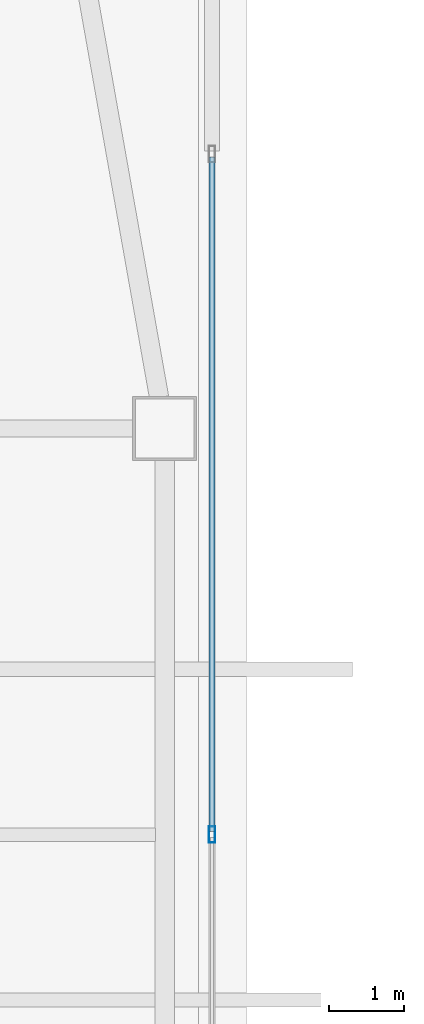
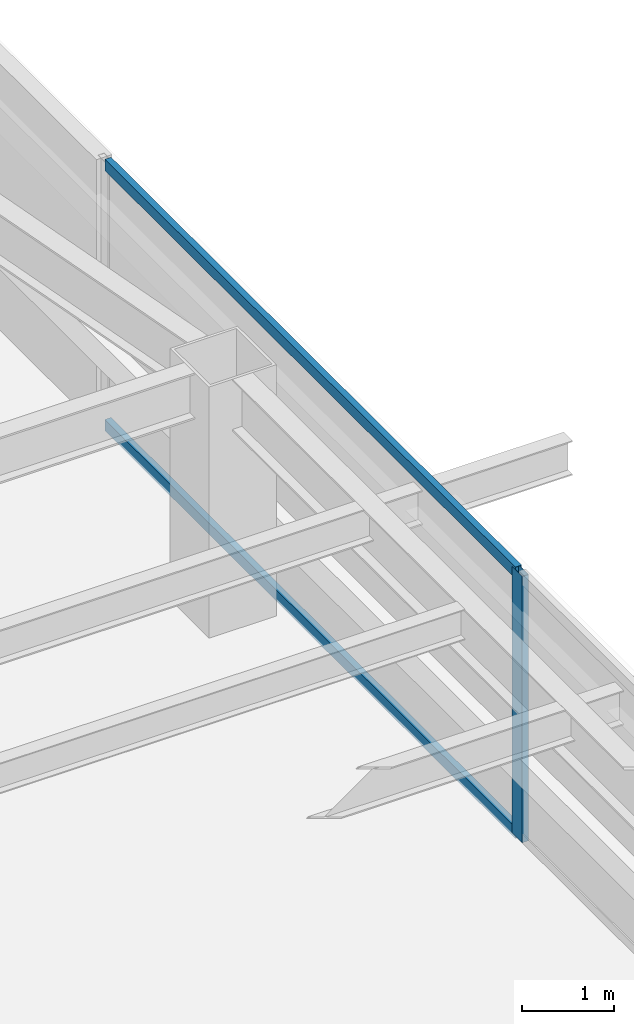
# One storey, part 11 of 47: 3 members, 1 element without a shape of its own.
"""IFC4 building model written with IfcOpenShell, lengths in metres."""

from ifc_helpers import new_model, si_unit, direction, frame, origin, origin_2d, place, context, subcontext, project, spatial, hollow_rectangle, extrude, material, material_profile, profile_set, type_object, element, aggregate, save


model = new_model("IFC4")

# Units and contexts
model_context = context("Model", 3, precision=1e-05, world=origin(), true_north=direction((0.0, 1.0)))
body_context = subcontext(model_context, "Body", "Model", "MODEL_VIEW")
ifc_project = project(units=[si_unit("LENGTHUNIT", "METRE"), si_unit("AREAUNIT", "SQUARE_METRE"), si_unit("VOLUMEUNIT", "CUBIC_METRE"), si_unit("PLANEANGLEUNIT", "RADIAN"), si_unit("MASSUNIT", "GRAM", prefix="KILO")], contexts=[model_context])

# Site, building, storey
site_placement = place(None, origin())
site = spatial("IfcSite", under=ifc_project, at=site_placement, CompositionType="ELEMENT")
building_placement = place(site_placement, origin())
building = spatial("IfcBuilding", under=site, at=building_placement, Name="Tashvorn Skyway Center", CompositionType="ELEMENT")
storey_placement = place(building_placement, frame((0.0, 0.0, 81.39990234375)))
storey = spatial("IfcBuildingStorey", under=building, at=storey_placement, Name="L21", CompositionType="ELEMENT", Elevation=81.39990234375)

# Curtain wall, members
ifc_material = material(Name="Thermally broken bronze-anodized aluminium 6063-T6", Category="aluminium")
curtain_wall_type = type_object("IfcCurtainWallType", Name="CW-CW-Z2", PredefinedType="NOTDEFINED", material=ifc_material)
curtain_wall_placement = place(storey_placement, origin())
curtain_wall = element("IfcCurtainWall", 1, at=curtain_wall_placement, inside=storey, type_object=curtain_wall_type, Name="Tower 1 L21 East Unitised Curtain Wall Glazing Group 2", PredefinedType="NOTDEFINED")
ifc_material_profile_1 = material_profile(ifc_material, hollow_rectangle(XDim=0.080078125, YDim=0.219970703125, WallThickness=0.0048828125, at=origin_2d()), Name="ALU-MULL-80x220")
ifc_profile_set_1 = profile_set([ifc_material_profile_1], Name="Thermally broken bronze-anodized aluminium 6063-T6")
member_type_1 = type_object("IfcMemberType", Name="CWM-CW-Z2", PredefinedType="MULLION", material=ifc_profile_set_1)
member_1_placement = place(storey_placement, frame((62.97998046875, 32.0, 0.0), z_axis=(0.0, 0.0, 1.0), x_axis=(1.0, 0.0, 0.0)))
member_1 = element("IfcMember", 2, at=member_1_placement, type_object=member_type_1, Name="CW-Z2 mullion 2", PredefinedType="MULLION", context=body_context, shape_type="SweptSolid", body=[
    extrude(hollow_rectangle(XDim=0.080078125, YDim=0.219970703125, WallThickness=0.0048828125, at=origin_2d()), origin(), (0.0, 0.0, 1.0), 3.550048828125),
])
ifc_material_profile_2 = material_profile(ifc_material, hollow_rectangle(XDim=0.080078125, YDim=0.14990234375, WallThickness=0.00439453125, at=origin_2d()), Name="ALU-TRAN-80x150")
ifc_profile_set_2 = profile_set([ifc_material_profile_2], Name="Thermally broken bronze-anodized aluminium 6063-T6")
member_type_2 = type_object("IfcMemberType", Name="CWT-CW-Z2", PredefinedType="USERDEFINED", material=ifc_profile_set_2)
member_2_placement = place(storey_placement, frame((62.97998046875, 41.010009765625, 0.0400390625), z_axis=(0.0, -1.0, 0.0), x_axis=(1.0, 0.0, 0.0)))
member_2 = element("IfcMember", 3, at=member_2_placement, type_object=member_type_2, Name="CW-Z2 transom 1.1", ObjectType="TRANSOM", PredefinedType="USERDEFINED", context=body_context, shape_type="SweptSolid", body=[
    extrude(hollow_rectangle(XDim=0.080078125, YDim=0.14990234375, WallThickness=0.00439453125, at=origin_2d()), origin(), (0.0, 0.0, 1.0), 8.969970703125),
])
member_3_placement = place(storey_placement, frame((62.97998046875, 41.010009765625, 3.510009765625), z_axis=(0.0, -1.0, 0.0), x_axis=(1.0, 0.0, 0.0)))
member_3 = element("IfcMember", 4, at=member_3_placement, type_object=member_type_2, Name="CW-Z2 transom 1.2", ObjectType="TRANSOM", PredefinedType="USERDEFINED", context=body_context, shape_type="SweptSolid", body=[
    extrude(hollow_rectangle(XDim=0.080078125, YDim=0.14990234375, WallThickness=0.00439453125, at=origin_2d()), origin(), (0.0, 0.0, 1.0), 8.969970703125),
])
aggregate(curtain_wall, [member_1, member_2, member_3])

save(model, "model.ifc")
